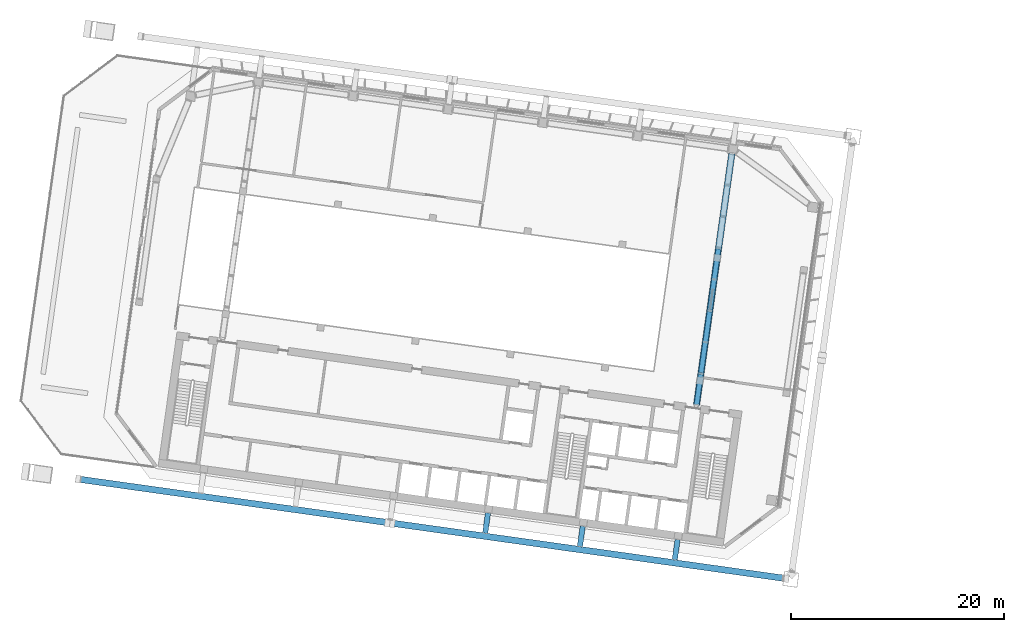
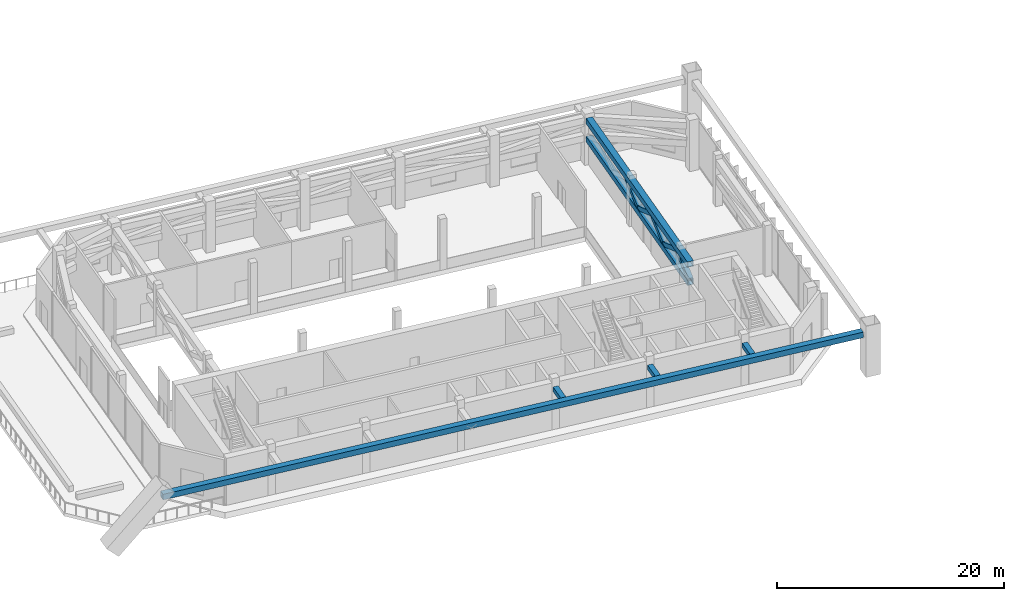
# One storey, part 4 of 41: 11 members.
"""IFC4 building model written with IfcOpenShell, lengths in metres."""

from ifc_helpers import new_model, si_unit, direction, frame, origin, origin_2d, place, context, subcontext, project, spatial, hollow_rectangle, extrude, material, material_profile, profile_set, type_object, element, save


model = new_model("IFC4")

# Units and contexts
model_context = context("Model", 3, precision=1e-05, world=origin(), true_north=direction((0.0, 1.0)))
body_context = subcontext(model_context, "Body", "Model", "MODEL_VIEW")
ifc_project = project(units=[si_unit("LENGTHUNIT", "METRE"), si_unit("AREAUNIT", "SQUARE_METRE"), si_unit("VOLUMEUNIT", "CUBIC_METRE"), si_unit("PLANEANGLEUNIT", "RADIAN"), si_unit("MASSUNIT", "GRAM", prefix="KILO")], contexts=[model_context])

# Site, building, storey
site_placement = place(None, origin())
site = spatial("IfcSite", under=ifc_project, at=site_placement, CompositionType="ELEMENT")
building_placement = place(site_placement, origin())
building = spatial("IfcBuilding", under=site, at=building_placement, Name="Mirante Cascada Hotel Towers", CompositionType="ELEMENT")
storey_placement = place(building_placement, frame((0.0, 0.0, 151.9)))
storey = spatial("IfcBuildingStorey", under=building, at=storey_placement, Name="L35", CompositionType="ELEMENT", Elevation=151.9)

# Members
ifc_material_1 = material(Name="Steel ASTM A572 Gr 50", Category="steel")
ifc_material_profile_1 = material_profile(ifc_material_1, hollow_rectangle(XDim=0.6, YDim=0.6, WallThickness=0.04, at=origin_2d()), Name="Box chord 600x600x40 ASTM A572 Gr 50")
ifc_profile_set_1 = profile_set([ifc_material_profile_1], Name="Steel ASTM A572 Gr 50")
member_type_1 = type_object("IfcMemberType", Name="Box chord 600x600x40 ASTM A572 Gr 50", PredefinedType="CHORD", material=ifc_profile_set_1)
member_1_placement = place(storey_placement, frame((-31.6791, -22.9704, 4.35), z_axis=(-0.990268, 0.1391739, 0.0), x_axis=(-0.1391739, -0.990268, 0.0)))
element("IfcMember", 1, at=member_1_placement, inside=storey, type_object=member_type_1, Name="exochord T1 L35 2", PredefinedType="CHORD", context=body_context, shape_type="SweptSolid", body=[
    extrude(hollow_rectangle(XDim=0.6, YDim=0.6, WallThickness=0.04, at=origin_2d()), origin(), (0.0, 0.0, 1.0), 66.5886),
])
ifc_material_2 = material(Name="Steel ASTM A572 Gr 50", Category="steel")
ifc_material_profile_2 = material_profile(ifc_material_2, hollow_rectangle(XDim=0.6, YDim=0.6, WallThickness=0.045, at=origin_2d()), Name="Box chord 600x600x45 ASTM A572 Gr 50")
ifc_profile_set_2 = profile_set([ifc_material_profile_2], Name="Steel ASTM A572 Gr 50")
member_type_2 = type_object("IfcMemberType", Name="Box chord 600x600x45 ASTM A572 Gr 50", PredefinedType="CHORD", material=ifc_profile_set_2)
for number, where, z_axis, x_axis, name in (
    (2, (-39.7665, -6.7167, 2.8), (0.1391739, 0.9902679, 0.0), (-0.9902679, 0.1391739, 0.0), "outrigger T1 L35 1"),
    (3, (-39.7665, -6.7167, 4.75), (0.1391739, 0.9902679, 0.0), (-0.9902679, 0.1391739, 0.0), "outrigger T1 L35 2"),
):
    element("IfcMember", number, at=place(storey_placement, frame(where, z_axis=z_axis, x_axis=x_axis)), inside=storey, type_object=member_type_2, Name=name, PredefinedType="CHORD", context=body_context, shape_type="SweptSolid", body=[
        extrude(hollow_rectangle(XDim=0.6, YDim=0.6, WallThickness=0.045, at=origin_2d()), origin(), (0.0, 0.0, 1.0), 23.85),
    ])
ifc_material_3 = material(Name="Steel ASTM A572 Gr 50", Category="steel")
ifc_material_profile_3 = material_profile(ifc_material_3, hollow_rectangle(XDim=0.45, YDim=0.45, WallThickness=0.03, at=origin_2d()), Name="Box diagonal 450x450x30 ASTM A572 Gr 50")
ifc_profile_set_3 = profile_set([ifc_material_profile_3], Name="Steel ASTM A572 Gr 50")
member_type_3 = type_object("IfcMemberType", Name="Box diagonal 450x450x30 ASTM A572 Gr 50", PredefinedType="BRACE", material=ifc_profile_set_3)
member_2_placement = place(storey_placement, frame((-39.7665, -6.7167, 3.1), z_axis=(0.1267752, 0.9020928, 0.4125005), x_axis=(-0.9902689, 0.1391669, 0.0)))
element("IfcMember", 4, at=member_2_placement, inside=storey, type_object=member_type_3, Name="outrigger T1 L35 3", PredefinedType="BRACE", context=body_context, shape_type="SweptSolid", body=[
    extrude(hollow_rectangle(XDim=0.45, YDim=0.45, WallThickness=0.03, at=origin_2d()), origin(), (0.0, 0.0, 1.0), 3.2727),
])
for number, where, z_axis, x_axis, name in (
    (5, (-39.3516, -3.7644, 4.45), (0.1267787, 0.9020871, -0.4125119), (-0.9902683, 0.1391716, 0.0), "outrigger T1 L35 4"),
    (6, (-38.9367, -0.8122, 3.1), (0.1267787, 0.9020871, 0.4125119), (-0.9902683, 0.1391716, 0.0), "outrigger T1 L35 5"),
):
    element("IfcMember", number, at=place(storey_placement, frame(where, z_axis=z_axis, x_axis=x_axis)), inside=storey, type_object=member_type_3, Name=name, PredefinedType="BRACE", context=body_context, shape_type="SweptSolid", body=[
        extrude(hollow_rectangle(XDim=0.45, YDim=0.45, WallThickness=0.03, at=origin_2d()), origin(), (0.0, 0.0, 1.0), 3.2726),
    ])
member_3_placement = place(storey_placement, frame((-38.5218, 2.14, 4.45), z_axis=(0.1268052, 0.9020893, -0.4124989), x_axis=(-0.9902643, 0.1391998, 0.0)))
element("IfcMember", 7, at=member_3_placement, inside=storey, type_object=member_type_3, Name="outrigger T1 L35 6", PredefinedType="BRACE", context=body_context, shape_type="SweptSolid", body=[
    extrude(hollow_rectangle(XDim=0.45, YDim=0.45, WallThickness=0.03, at=origin_2d()), origin(), (0.0, 0.0, 1.0), 3.2727),
])
member_4_placement = place(storey_placement, frame((-38.1068, 5.0923, 3.1), z_axis=(0.1267787, 0.9020871, 0.4125119), x_axis=(-0.9902683, 0.1391716, 0.0)))
element("IfcMember", 8, at=member_4_placement, inside=storey, type_object=member_type_3, Name="outrigger T1 L35 7", PredefinedType="BRACE", context=body_context, shape_type="SweptSolid", body=[
    extrude(hollow_rectangle(XDim=0.45, YDim=0.45, WallThickness=0.03, at=origin_2d()), origin(), (0.0, 0.0, 1.0), 3.2726),
])
ifc_material_4 = material(Name="Steel ASTM A572 Gr 50", Category="steel")
ifc_material_profile_4 = material_profile(ifc_material_4, hollow_rectangle(XDim=0.5, YDim=0.5, WallThickness=0.035, at=origin_2d()), Name="Box tie 500x500x35 ASTM A572 Gr 50")
ifc_profile_set_4 = profile_set([ifc_material_profile_4], Name="Steel ASTM A572 Gr 50")
member_type_4 = type_object("IfcMemberType", Name="Box tie 500x500x35 ASTM A572 Gr 50", PredefinedType="STRUT", material=ifc_profile_set_4)
member_5_placement = place(storey_placement, frame((-41.5409, -19.3426, 4.35), z_axis=(-0.1391766, -0.9902676, 0.0), x_axis=(0.9902676, -0.1391766, 0.0)))
element("IfcMember", 9, at=member_5_placement, inside=storey, type_object=member_type_4, Name="tie T1 L35 2", PredefinedType="STRUT", context=body_context, shape_type="SweptSolid", body=[
    extrude(hollow_rectangle(XDim=0.5, YDim=0.5, WallThickness=0.035, at=origin_2d()), origin(), (0.0, 0.0, 1.0), 1.94),
])
member_6_placement = place(storey_placement, frame((-50.4534, -18.09, 4.35), z_axis=(-0.139119, -0.9902757, 0.0), x_axis=(0.9902757, -0.139119, 0.0)))
element("IfcMember", 10, at=member_6_placement, inside=storey, type_object=member_type_4, Name="tie T1 L35 4", PredefinedType="STRUT", context=body_context, shape_type="SweptSolid", body=[
    extrude(hollow_rectangle(XDim=0.5, YDim=0.5, WallThickness=0.035, at=origin_2d()), origin(), (0.0, 0.0, 1.0), 1.9401),
])
member_7_placement = place(storey_placement, frame((-59.3509, -16.8396, 4.35), z_axis=(-0.1391766, -0.9902676, 0.0), x_axis=(0.9902676, -0.1391766, 0.0)))
element("IfcMember", 11, at=member_7_placement, inside=storey, type_object=member_type_4, Name="tie T1 L35 6", PredefinedType="STRUT", context=body_context, shape_type="SweptSolid", body=[
    extrude(hollow_rectangle(XDim=0.5, YDim=0.5, WallThickness=0.035, at=origin_2d()), origin(), (0.0, 0.0, 1.0), 1.94),
])

save(model, "model.ifc")
